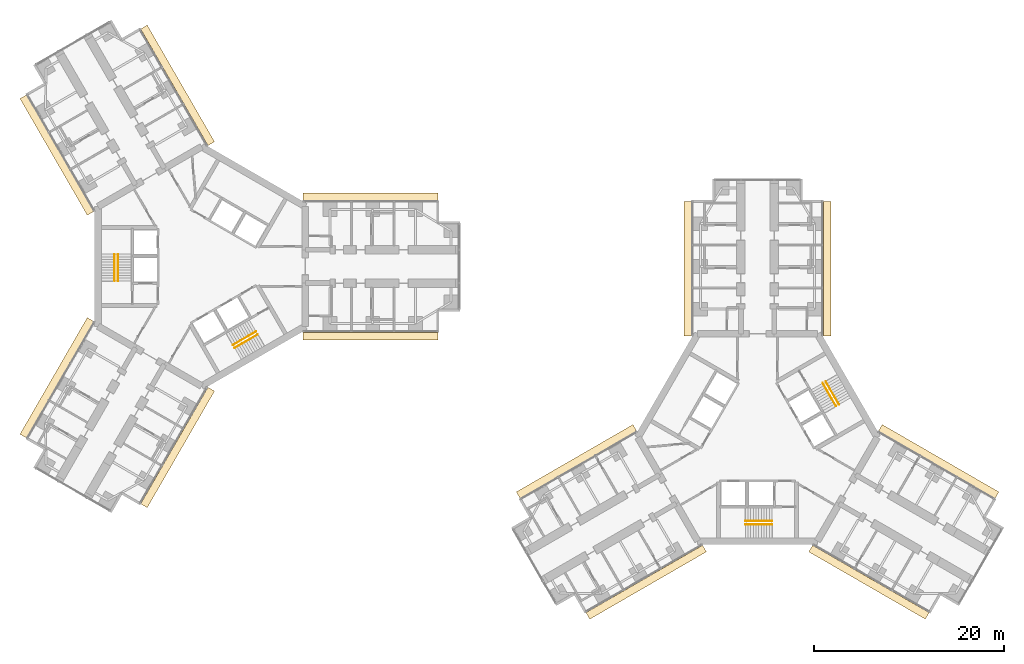
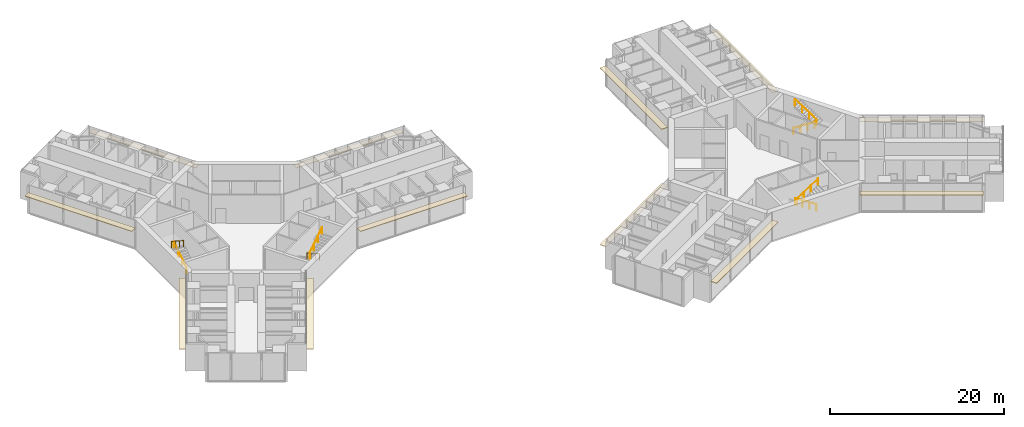
# One storey, part 24 of 24: 12 coverings, 8 railings.
"""IFC4 building model written with IfcOpenShell, lengths in metres."""

from ifc_helpers import new_model, si_unit, direction, frame, origin, origin_2d, place, context, subcontext, project, spatial, rectangle, circle, extrude, material, layer, layer_set, type_object, element, save


model = new_model("IFC4")

# Units and contexts
model_context = context("Model", 3, precision=1e-05, world=origin(), true_north=direction((0.0, 1.0)))
body_context = subcontext(model_context, "Body", "Model", "MODEL_VIEW")
ifc_project = project(units=[si_unit("LENGTHUNIT", "METRE"), si_unit("AREAUNIT", "SQUARE_METRE"), si_unit("VOLUMEUNIT", "CUBIC_METRE"), si_unit("PLANEANGLEUNIT", "RADIAN"), si_unit("MASSUNIT", "GRAM", prefix="KILO")], contexts=[model_context])

# Site, building, storey
site_placement = place(None, origin())
site = spatial("IfcSite", under=ifc_project, at=site_placement, CompositionType="ELEMENT")
building_placement = place(site_placement, origin())
building = spatial("IfcBuilding", under=site, at=building_placement, Name="Upepo Twin Towers", CompositionType="ELEMENT")
storey_placement = place(building_placement, frame((0.0, 0.0, 68.5)))
storey = spatial("IfcBuildingStorey", under=building, at=storey_placement, Name="L16", CompositionType="ELEMENT", Elevation=68.5)

# Coverings
ifc_material_1 = material(Name="Anodised aluminium, pale silver", Category="aluminium")
ifc_layer = layer(ifc_material_1, 0.080078125)
ifc_layer_set = layer_set([ifc_layer], Name="Brise-soleil blade 800 pale aluminium")
covering_type = type_object("IfcCoveringType", Name="Brise-soleil blade 800 pale aluminium", PredefinedType="USERDEFINED", material=ifc_layer_set)
for number, where, z_axis, x_axis, name in (
    (1, (17.7685546875, 7.330078125, 2.909912109375), (0.0, 0.0, 1.0), (1.0, 0.0, 0.0), "T1 L16 wing A brise-soleil L"),
    (2, (17.7685546875, -7.330078125, 2.909912109375), (0.0, 0.0, 1.0), (1.0, 0.0, 0.0), "T1 L16 wing A brise-soleil R"),
    (3, (-15.232177734375, 11.722900390625, 2.909912109375), (0.0, 0.0, 1.0), (-0.50000003023, 0.866025386331, 0.0), "T1 L16 wing B brise-soleil L"),
    (4, (-2.536376953125, 19.052978515625, 2.909912109375), (0.0, 0.0, 1.0), (-0.50000003023, 0.866025386331, 0.0), "T1 L16 wing B brise-soleil R"),
    (5, (-2.536376953125, -19.052978515625, 2.909912109375), (0.0, 0.0, 1.0), (-0.50000003023, -0.866025386331, 0.0), "T1 L16 wing C brise-soleil L"),
    (6, (-15.232177734375, -11.722900390625, 2.909912109375), (0.0, 0.0, 1.0), (-0.50000003023, -0.866025386331, 0.0), "T1 L16 wing C brise-soleil R"),
    (7, (51.169921875, -0.2314453125, 2.909912109375), (0.0, 0.0, 1.0), (0.0, 1.0, 0.0), "T2 L16 wing A brise-soleil L"),
    (8, (65.830078125, -0.2314453125, 2.909912109375), (0.0, 0.0, 1.0), (0.0, 1.0, 0.0), "T2 L16 wing A brise-soleil R"),
    (9, (46.777099609375, -33.232177734375, 2.909912109375), (0.0, 0.0, 1.0), (-0.866025386331, -0.50000003023, 0.0), "T2 L16 wing B brise-soleil L"),
    (10, (39.447021484375, -20.536376953125, 2.909912109375), (0.0, 0.0, 1.0), (-0.866025386331, -0.50000003023, 0.0), "T2 L16 wing B brise-soleil R"),
    (11, (77.552978515625, -20.536376953125, 2.909912109375), (0.0, 0.0, 1.0), (0.866025386331, -0.50000003023, 0.0), "T2 L16 wing C brise-soleil L"),
    (12, (70.222900390625, -33.232177734375, 2.909912109375), (0.0, 0.0, 1.0), (0.866025386331, -0.50000003023, 0.0), "T2 L16 wing C brise-soleil R"),
):
    element("IfcCovering", number, at=place(storey_placement, frame(where, z_axis=z_axis, x_axis=x_axis)), inside=storey, type_object=covering_type, Name=name, ObjectType="SUNSHADE", PredefinedType="USERDEFINED", context=body_context, shape_type="SweptSolid", body=[
        extrude(rectangle(XDim=14.162841796875, YDim=0.800048828125, at=origin_2d()), origin(), (0.0, 0.0, 1.0), 0.080078125),
    ])

# Railings
ifc_material_2 = material(Name="Stainless steel", Category="steel")
railing_type = type_object("IfcRailingType", Name="Stair handrail 900", PredefinedType="HANDRAIL", material=ifc_material_2)
railing_1_placement = place(storey_placement, frame((-8.800048828125, -1.52001953125, 0.181884765625)))
element("IfcRailing", 13, at=railing_1_placement, inside=storey, type_object=railing_type, Name="T1 stair S1 L16 handrail 1", PredefinedType="HANDRAIL", context=body_context, shape_type="SweptSolid", body=[
    extrude(circle(Radius=0.02392578125, at=origin_2d()), frame((0.0, 0.0, 0.8759765625), z_axis=(0.0, 0.838705829183, 0.544584733623), x_axis=(-1.0, 0.0, 0.0)), (0.0, 0.0, 1.0), 3.338623046875),
    extrude(circle(Radius=0.02099609375, at=origin_2d()), origin(), (0.0, 0.0, 1.0), 0.851806640625),
    extrude(circle(Radius=0.02099609375, at=origin_2d()), frame((0.0, 0.933349609375, 0.60595703125)), (0.0, 0.0, 1.0), 0.851806640625),
    extrude(circle(Radius=0.02099609375, at=origin_2d()), frame((0.0, 1.86669921875, 1.212158203125)), (0.0, 0.0, 1.0), 0.851806640625),
    extrude(circle(Radius=0.02099609375, at=origin_2d()), frame((0.0, 2.800048828125, 1.818115234375)), (0.0, 0.0, 1.0), 0.851806640625),
])
railing_2_placement = place(storey_placement, frame((-9.158447265625, 1.280029296875, 2.181884765625)))
element("IfcRailing", 14, at=railing_2_placement, inside=storey, type_object=railing_type, Name="T1 stair S1 L16 handrail 2", PredefinedType="HANDRAIL", context=body_context, shape_type="SweptSolid", body=[
    extrude(circle(Radius=0.02392578125, at=origin_2d()), frame((0.0, 0.0, 0.8759765625), z_axis=(0.0, -0.838705829183, 0.544584733623), x_axis=(1.0, 0.0, 0.0)), (0.0, 0.0, 1.0), 3.338623046875),
    extrude(circle(Radius=0.02099609375, at=origin_2d()), origin(), (0.0, 0.0, 1.0), 0.851806640625),
    extrude(circle(Radius=0.02099609375, at=origin_2d()), frame((0.0, -0.933349609375, 0.60595703125)), (0.0, 0.0, 1.0), 0.851806640625),
    extrude(circle(Radius=0.02099609375, at=origin_2d()), frame((0.0, -1.86669921875, 1.212158203125)), (0.0, 0.0, 1.0), 0.851806640625),
    extrude(circle(Radius=0.02099609375, at=origin_2d()), frame((0.0, -2.800048828125, 1.818115234375)), (0.0, 0.0, 1.0), 0.851806640625),
])
railing_3_placement = place(storey_placement, frame((5.71630859375, -6.861083984375, 0.181884765625)))
element("IfcRailing", 15, at=railing_3_placement, inside=storey, type_object=railing_type, Name="T1 stair S2 L16 handrail 1", PredefinedType="HANDRAIL", context=body_context, shape_type="SweptSolid", body=[
    extrude(circle(Radius=0.02392578125, at=origin_2d()), frame((0.0, 0.0, 0.8759765625), z_axis=(-0.726336304947, -0.419332699614, 0.544605966869), x_axis=(0.49998411664, -0.866034573852, 0.0)), (0.0, 0.0, 1.0), 3.33837890625),
    extrude(circle(Radius=0.02099609375, at=origin_2d()), origin(), (0.0, 0.0, 1.0), 0.851806640625),
    extrude(circle(Radius=0.02099609375, at=origin_2d()), frame((-0.808349609375, -0.466552734375, 0.60595703125)), (0.0, 0.0, 1.0), 0.851806640625),
    extrude(circle(Radius=0.02099609375, at=origin_2d()), frame((-1.616455078125, -0.933349609375, 1.212158203125)), (0.0, 0.0, 1.0), 0.851806640625),
    extrude(circle(Radius=0.02099609375, at=origin_2d()), frame((-2.4248046875, -1.39990234375, 1.818115234375)), (0.0, 0.0, 1.0), 0.851806640625),
])
railing_4_placement = place(storey_placement, frame((3.470703125, -8.5712890625, 2.181884765625)))
element("IfcRailing", 16, at=railing_4_placement, inside=storey, type_object=railing_type, Name="T1 stair S2 L16 handrail 2", PredefinedType="HANDRAIL", context=body_context, shape_type="SweptSolid", body=[
    extrude(circle(Radius=0.02392578125, at=origin_2d()), frame((0.0, 0.0, 0.8759765625), z_axis=(0.726336304947, 0.419332699614, 0.544605966869), x_axis=(-0.49998411664, 0.866034573852, 0.0)), (0.0, 0.0, 1.0), 3.33837890625),
    extrude(circle(Radius=0.02099609375, at=origin_2d()), origin(), (0.0, 0.0, 1.0), 0.851806640625),
    extrude(circle(Radius=0.02099609375, at=origin_2d()), frame((0.808349609375, 0.466552734375, 0.60595703125)), (0.0, 0.0, 1.0), 0.851806640625),
    extrude(circle(Radius=0.02099609375, at=origin_2d()), frame((1.616455078125, 0.933349609375, 1.212158203125)), (0.0, 0.0, 1.0), 0.851806640625),
    extrude(circle(Radius=0.02099609375, at=origin_2d()), frame((2.4248046875, 1.39990234375, 1.818115234375)), (0.0, 0.0, 1.0), 0.851806640625),
])
railing_5_placement = place(storey_placement, frame((60.02001953125, -26.800048828125, 0.181884765625)))
element("IfcRailing", 17, at=railing_5_placement, inside=storey, type_object=railing_type, Name="T2 stair S1 L16 handrail 1", PredefinedType="HANDRAIL", context=body_context, shape_type="SweptSolid", body=[
    extrude(circle(Radius=0.02392578125, at=origin_2d()), frame((0.0, 0.0, 0.8759765625), z_axis=(-0.838705829183, 0.0, 0.544584733623), x_axis=(0.0, -1.0, 0.0)), (0.0, 0.0, 1.0), 3.338623046875),
    extrude(circle(Radius=0.02099609375, at=origin_2d()), origin(), (0.0, 0.0, 1.0), 0.851806640625),
    extrude(circle(Radius=0.02099609375, at=origin_2d()), frame((-0.933349609375, 0.0, 0.60595703125)), (0.0, 0.0, 1.0), 0.851806640625),
    extrude(circle(Radius=0.02099609375, at=origin_2d()), frame((-1.86669921875, 0.0, 1.212158203125)), (0.0, 0.0, 1.0), 0.851806640625),
    extrude(circle(Radius=0.02099609375, at=origin_2d()), frame((-2.800048828125, 0.0, 1.818115234375)), (0.0, 0.0, 1.0), 0.851806640625),
])
railing_6_placement = place(storey_placement, frame((57.219970703125, -27.158447265625, 2.181884765625)))
element("IfcRailing", 18, at=railing_6_placement, inside=storey, type_object=railing_type, Name="T2 stair S1 L16 handrail 2", PredefinedType="HANDRAIL", context=body_context, shape_type="SweptSolid", body=[
    extrude(circle(Radius=0.02392578125, at=origin_2d()), frame((0.0, 0.0, 0.8759765625), z_axis=(0.838705829183, 0.0, 0.544584733623), x_axis=(0.0, 1.0, 0.0)), (0.0, 0.0, 1.0), 3.338623046875),
    extrude(circle(Radius=0.02099609375, at=origin_2d()), origin(), (0.0, 0.0, 1.0), 0.851806640625),
    extrude(circle(Radius=0.02099609375, at=origin_2d()), frame((0.933349609375, 0.0, 0.60595703125)), (0.0, 0.0, 1.0), 0.851806640625),
    extrude(circle(Radius=0.02099609375, at=origin_2d()), frame((1.86669921875, 0.0, 1.212158203125)), (0.0, 0.0, 1.0), 0.851806640625),
    extrude(circle(Radius=0.02099609375, at=origin_2d()), frame((2.800048828125, 0.0, 1.818115234375)), (0.0, 0.0, 1.0), 0.851806640625),
])
railing_7_placement = place(storey_placement, frame((65.361083984375, -12.28369140625, 0.181884765625)))
element("IfcRailing", 19, at=railing_7_placement, inside=storey, type_object=railing_type, Name="T2 stair S2 L16 handrail 1", PredefinedType="HANDRAIL", context=body_context, shape_type="SweptSolid", body=[
    extrude(circle(Radius=0.02392578125, at=origin_2d()), frame((0.0, 0.0, 0.8759765625), z_axis=(0.419332699614, -0.726336304947, 0.544605966869), x_axis=(0.866034573852, 0.49998411664, 0.0)), (0.0, 0.0, 1.0), 3.33837890625),
    extrude(circle(Radius=0.02099609375, at=origin_2d()), origin(), (0.0, 0.0, 1.0), 0.851806640625),
    extrude(circle(Radius=0.02099609375, at=origin_2d()), frame((0.466552734375, -0.808349609375, 0.60595703125)), (0.0, 0.0, 1.0), 0.851806640625),
    extrude(circle(Radius=0.02099609375, at=origin_2d()), frame((0.933349609375, -1.616455078125, 1.212158203125)), (0.0, 0.0, 1.0), 0.851806640625),
    extrude(circle(Radius=0.02099609375, at=origin_2d()), frame((1.39990234375, -2.4248046875, 1.818115234375)), (0.0, 0.0, 1.0), 0.851806640625),
])
railing_8_placement = place(storey_placement, frame((67.0712890625, -14.529296875, 2.181884765625)))
element("IfcRailing", 20, at=railing_8_placement, inside=storey, type_object=railing_type, Name="T2 stair S2 L16 handrail 2", PredefinedType="HANDRAIL", context=body_context, shape_type="SweptSolid", body=[
    extrude(circle(Radius=0.02392578125, at=origin_2d()), frame((0.0, 0.0, 0.8759765625), z_axis=(-0.419332699614, 0.726336304947, 0.544605966869), x_axis=(-0.866034573852, -0.49998411664, 0.0)), (0.0, 0.0, 1.0), 3.33837890625),
    extrude(circle(Radius=0.02099609375, at=origin_2d()), origin(), (0.0, 0.0, 1.0), 0.851806640625),
    extrude(circle(Radius=0.02099609375, at=origin_2d()), frame((-0.466552734375, 0.808349609375, 0.60595703125)), (0.0, 0.0, 1.0), 0.851806640625),
    extrude(circle(Radius=0.02099609375, at=origin_2d()), frame((-0.933349609375, 1.616455078125, 1.212158203125)), (0.0, 0.0, 1.0), 0.851806640625),
    extrude(circle(Radius=0.02099609375, at=origin_2d()), frame((-1.39990234375, 2.4248046875, 1.818115234375)), (0.0, 0.0, 1.0), 0.851806640625),
])

save(model, "model.ifc")
